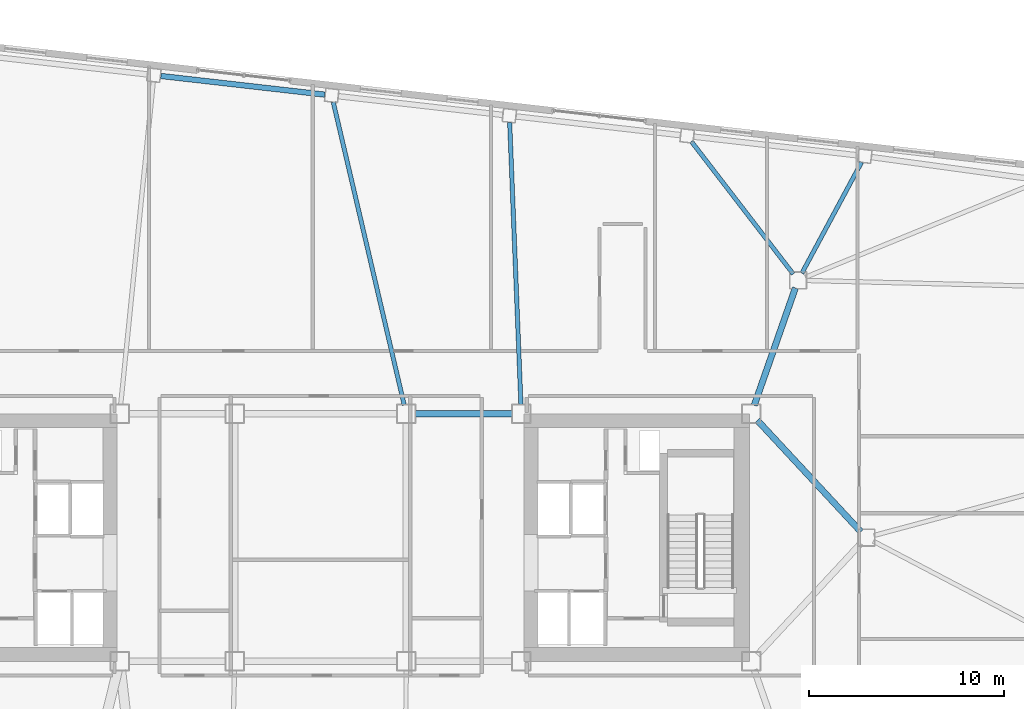
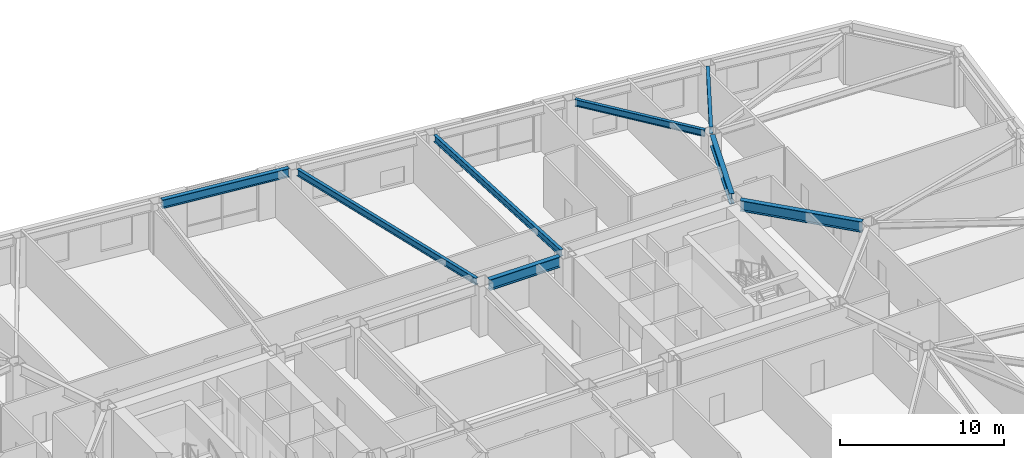
# One storey, part 6 of 19: 8 beams.
"""IFC4 building model written with IfcOpenShell, lengths in metres."""

from ifc_helpers import new_model, si_unit, direction, frame, origin, origin_2d, place, context, subcontext, project, spatial, i_section, extrude, material, material_profile, profile_set, type_object, element, save


model = new_model("IFC4")

# Units and contexts
model_context = context("Model", 3, precision=1e-05, world=origin(), true_north=direction((0.0, 1.0)))
body_context = subcontext(model_context, "Body", "Model", "MODEL_VIEW")
ifc_project = project(units=[si_unit("LENGTHUNIT", "METRE"), si_unit("AREAUNIT", "SQUARE_METRE"), si_unit("VOLUMEUNIT", "CUBIC_METRE"), si_unit("PLANEANGLEUNIT", "RADIAN"), si_unit("MASSUNIT", "GRAM", prefix="KILO")], contexts=[model_context])

# Site, building, storey
site_placement = place(None, origin())
site = spatial("IfcSite", under=ifc_project, at=site_placement, CompositionType="ELEMENT")
building_placement = place(site_placement, origin())
building = spatial("IfcBuilding", under=site, at=building_placement, Name="Tavrogorsk Clinical Tower", CompositionType="ELEMENT")
storey_placement = place(building_placement, frame((0.0, 0.0, 97.39990234375)))
storey = spatial("IfcBuildingStorey", under=building, at=storey_placement, Name="L21", CompositionType="ELEMENT", Elevation=97.39990234375)

# Beams
ifc_material_1 = material(Name="Structural steel S355", Category="steel")
ifc_material_profile_1 = material_profile(ifc_material_1, i_section(OverallWidth=0.219970703125, OverallDepth=0.5, WebThickness=0.012939453125, FlangeThickness=0.02001953125, at=origin_2d()), Name="B-500x220x13x20")
ifc_profile_set_1 = profile_set([ifc_material_profile_1], Name="Structural steel S355")
beam_type_1 = type_object("IfcBeamType", Name="FloorBeam_B500", PredefinedType="BEAM", material=ifc_profile_set_1)
beam_1_placement = place(storey_placement, frame((24.6943359375, 13.56103515625, 3.489990234375), z_axis=(0.473788919736, 0.880638438597, 0.0), x_axis=(-0.880638438597, 0.473788919736, 0.0)))
element("IfcBeam", 1, at=beam_1_placement, inside=storey, type_object=beam_type_1, Name="L21 Radial Floor Beam N2", PredefinedType="BEAM", context=body_context, shape_type="SweptSolid", body=[
    extrude(i_section(OverallWidth=0.219970703125, OverallDepth=0.5, WebThickness=0.012939453125, FlangeThickness=0.02001953125, at=origin_2d()), origin(), (0.0, 0.0, 1.0), 6.462890625),
])
beam_2_placement = place(storey_placement, frame((24.250244140625, 13.525146484375, 3.489990234375), z_axis=(-0.609376288757, 0.792881163038, 0.0), x_axis=(-0.792881163038, -0.609376288757, 0.0)))
element("IfcBeam", 2, at=beam_2_placement, inside=storey, type_object=beam_type_1, Name="L21 Radial Floor Beam N3", PredefinedType="BEAM", context=body_context, shape_type="SweptSolid", body=[
    extrude(i_section(OverallWidth=0.219970703125, OverallDepth=0.5, WebThickness=0.012939453125, FlangeThickness=0.02001953125, at=origin_2d()), origin(), (0.0, 0.0, 1.0), 8.5732421875),
])
beam_3_placement = place(storey_placement, frame((10.28173828125, 6.8095703125, 3.489990234375), z_axis=(-0.039881908424, 0.999204400201, 0.0), x_axis=(-0.999204400201, -0.039881908424, 0.0)))
element("IfcBeam", 3, at=beam_3_placement, inside=storey, type_object=beam_type_1, Name="L21 Radial Floor Beam N4", PredefinedType="BEAM", context=body_context, shape_type="SweptSolid", body=[
    extrude(i_section(OverallWidth=0.219970703125, OverallDepth=0.5, WebThickness=0.012939453125, FlangeThickness=0.02001953125, at=origin_2d()), origin(), (0.0, 0.0, 1.0), 14.48974609375),
])
beam_4_placement = place(storey_placement, frame((4.294921875, 6.7978515625, 3.489990234375), z_axis=(-0.228197667081, 0.973614823603, 0.0), x_axis=(-0.973614823603, -0.228197667081, 0.0)))
element("IfcBeam", 4, at=beam_4_placement, inside=storey, type_object=beam_type_1, Name="L21 Radial Floor Beam N5", PredefinedType="BEAM", context=body_context, shape_type="SweptSolid", body=[
    extrude(i_section(OverallWidth=0.219970703125, OverallDepth=0.5, WebThickness=0.012939453125, FlangeThickness=0.02001953125, at=origin_2d()), origin(), (0.0, 0.0, 1.0), 15.959228515625),
])
ifc_material_2 = material(Name="Structural steel S390", Category="steel")
ifc_material_profile_2 = material_profile(ifc_material_2, i_section(OverallWidth=0.320068359375, OverallDepth=0.800048828125, WebThickness=0.02001953125, FlangeThickness=0.033935546875, at=origin_2d()), Name="B-800x320x20x34")
ifc_profile_set_2 = profile_set([ifc_material_profile_2], Name="Structural steel S390")
beam_type_2 = type_object("IfcBeamType", Name="PrimaryGirder_B800", PredefinedType="USERDEFINED", material=ifc_profile_set_2)
beam_5_placement = place(storey_placement, frame((4.860107421875, 6.35009765625, 3.340087890625), z_axis=(1.0, 0.0, 0.0), x_axis=(0.0, 1.0, 0.0)))
element("IfcBeam", 5, at=beam_5_placement, inside=storey, type_object=beam_type_2, Name="L21 Primary Spine Girder MG-06", ObjectType="GIRDER", PredefinedType="USERDEFINED", context=body_context, shape_type="SweptSolid", body=[
    extrude(i_section(OverallWidth=0.320068359375, OverallDepth=0.800048828125, WebThickness=0.02001953125, FlangeThickness=0.033935546875, at=origin_2d()), origin(), (0.0, 0.0, 1.0), 4.97998046875),
])
beam_6_placement = place(storey_placement, frame((24.364501953125, 12.81298828125, 3.340087890625), z_axis=(-0.330660234815, -0.943749865755, 0.0), x_axis=(0.943749865755, -0.330660234815, 0.0)))
element("IfcBeam", 6, at=beam_6_placement, inside=storey, type_object=beam_type_2, Name="L21 Spine Link Girder OPG-4", ObjectType="GIRDER", PredefinedType="USERDEFINED", context=body_context, shape_type="SweptSolid", body=[
    extrude(i_section(OverallWidth=0.320068359375, OverallDepth=0.800048828125, WebThickness=0.02001953125, FlangeThickness=0.033935546875, at=origin_2d()), origin(), (0.0, 0.0, 1.0), 6.38818359375),
])
beam_7_placement = place(storey_placement, frame((27.720947265625, 0.30029296875, 3.340087890625), z_axis=(-0.680675630035, 0.732584934787, 0.0), x_axis=(-0.732584934787, -0.680675630035, 0.0)))
element("IfcBeam", 7, at=beam_7_placement, inside=storey, type_object=beam_type_2, Name="L21 Spine Link Girder OPG-8", ObjectType="GIRDER", PredefinedType="USERDEFINED", context=body_context, shape_type="SweptSolid", body=[
    extrude(i_section(OverallWidth=0.320068359375, OverallDepth=0.800048828125, WebThickness=0.02001953125, FlangeThickness=0.033935546875, at=origin_2d()), origin(), (0.0, 0.0, 1.0), 7.7978515625),
])
ifc_material_3 = material(Name="Structural steel S390", Category="steel")
ifc_material_profile_3 = material_profile(ifc_material_3, i_section(OverallWidth=0.280029296875, OverallDepth=0.64990234375, WebThickness=0.01611328125, FlangeThickness=0.02490234375, at=origin_2d()), Name="B-650x280x16x25")
ifc_profile_set_3 = profile_set([ifc_material_profile_3], Name="Structural steel S390")
beam_type_3 = type_object("IfcBeamType", Name="SpandrelBeam_B650", PredefinedType="SPANDREL", material=ifc_profile_set_3)
beam_8_placement = place(storey_placement, frame((0.2158203125, 22.724853515625, 3.4150390625), z_axis=(-0.993569819641, 0.113221082395, 0.0), x_axis=(-0.113221082395, -0.993569819641, 0.0)))
element("IfcBeam", 8, at=beam_8_placement, inside=storey, type_object=beam_type_3, Name="L21 Perimeter Spandrel N5-N6", PredefinedType="SPANDREL", context=body_context, shape_type="SweptSolid", body=[
    extrude(i_section(OverallWidth=0.280029296875, OverallDepth=0.64990234375, WebThickness=0.01611328125, FlangeThickness=0.02490234375, at=origin_2d()), origin(), (0.0, 0.0, 1.0), 8.46142578125),
])

save(model, "model.ifc")
